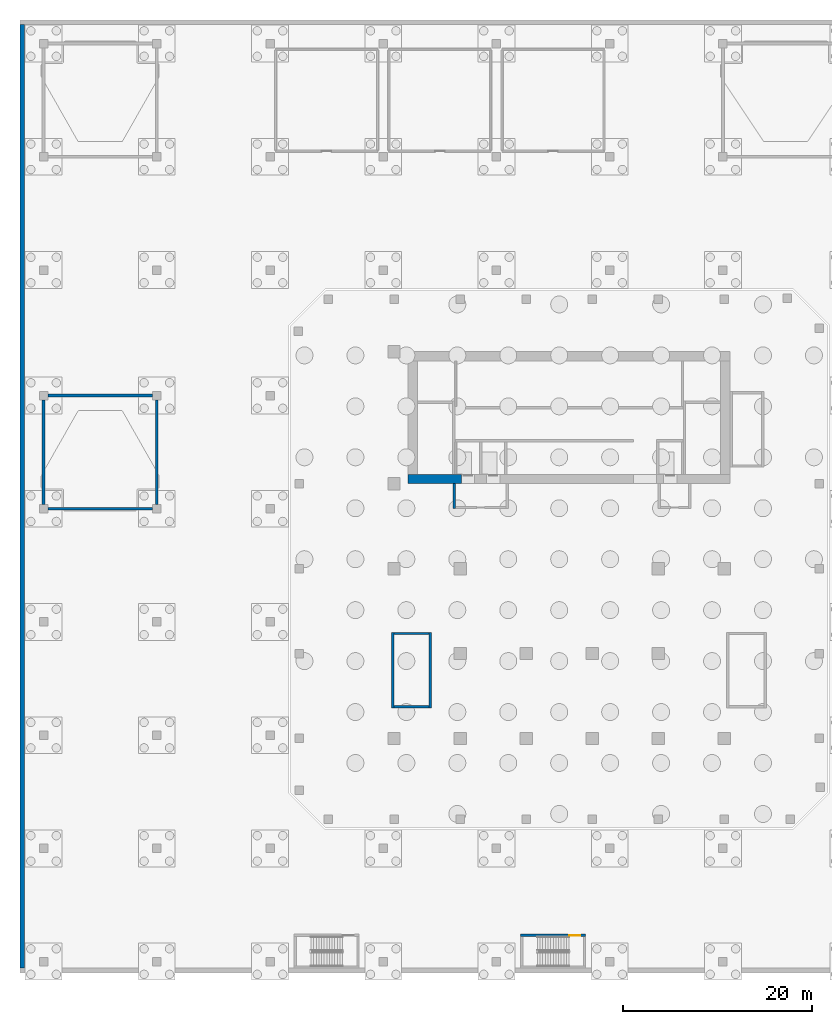
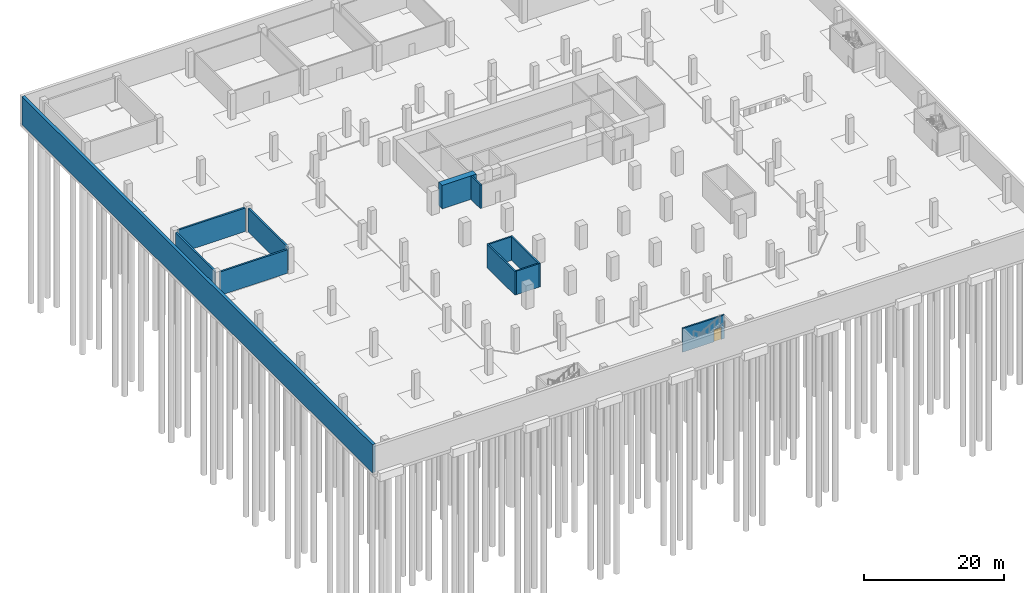
# One storey, part 7 of 15: 12 walls, 1 door, 1 opening.
"""IFC4 building model written with IfcOpenShell, lengths in metres."""

from ifc_helpers import new_model, si_unit, direction, frame, frame_2d, origin, place, context, subcontext, project, spatial, rectangle, extrude, source, transform, mapped, material, layer, layer_set, type_object, element, fill, save


model = new_model("IFC4")

# Units and contexts
model_context = context("Model", 3, precision=1e-05, world=origin(), true_north=direction((0.0, 1.0)))
body_context = subcontext(model_context, "Body", "Model", "MODEL_VIEW")
ifc_project = project(units=[si_unit("LENGTHUNIT", "METRE"), si_unit("AREAUNIT", "SQUARE_METRE"), si_unit("VOLUMEUNIT", "CUBIC_METRE"), si_unit("PLANEANGLEUNIT", "RADIAN"), si_unit("MASSUNIT", "GRAM", prefix="KILO")], contexts=[model_context])

# Site, building, storey
site_placement = place(None, origin())
site = spatial("IfcSite", under=ifc_project, at=site_placement, CompositionType="ELEMENT")
building_placement = place(site_placement, origin())
building = spatial("IfcBuilding", under=site, at=building_placement, Name="Kilnfold Tower and Market Hall", CompositionType="ELEMENT")
storey_placement = place(building_placement, frame((0.0, 0.0, -9.0)))
storey = spatial("IfcBuildingStorey", under=building, at=storey_placement, Name="B2", CompositionType="ELEMENT", Elevation=-9.0)

# Walls
ifc_material_1 = material(Name="Concrete C80", Category="concrete")
ifc_layer_1 = layer(ifc_material_1, 1.0)
ifc_layer_set_1 = layer_set([ifc_layer_1], Name="Concrete C80")
wall_type_1 = type_object("IfcWallType", Name="CORE WALL 1000 C80", PredefinedType="SHEAR", material=ifc_layer_set_1)
shared_shape_1 = source(origin(), body_context, "Body", "SweptSolid", [
    extrude(rectangle(XDim=5.6298828125, YDim=1.0, at=frame_2d((2.81494140625, 0.0))), origin(), (0.0, 0.0, 1.0), 4.10009765625),
])
wall_1_placement = place(storey_placement, frame((-16.0, 8.5, 0.0), z_axis=(0.0, 0.0, 1.0), x_axis=(1.0, 0.0, 0.0)))
element("IfcWall", 1, at=wall_1_placement, inside=storey, type_object=wall_type_1, Name="Core outer wall south", PredefinedType="SHEAR", context=body_context, shape_type="MappedRepresentation", body=[
    mapped(shared_shape_1, transform((0.0, 0.0, 0.0))),
])
ifc_material_2 = material(Name="Concrete C80", Category="concrete")
ifc_layer_2 = layer(ifc_material_2, 0.25)
ifc_layer_set_2 = layer_set([ifc_layer_2], Name="Concrete C80")
wall_type_2 = type_object("IfcWallType", Name="CORE WALL 250 C80", PredefinedType="SHEAR", material=ifc_layer_set_2)
shared_shape_2 = source(origin(), body_context, "Body", "SweptSolid", [
    extrude(rectangle(XDim=3.699951171875, YDim=0.25, at=frame_2d((1.85009765625, 0.0))), origin(), (0.0, 0.0, 1.0), 4.10009765625),
])
for number, where, z_axis, x_axis, name in (
    (2, (-17.5, -15.625, 0.0), (0.0, 0.0, 1.0), (1.0, 0.0, 0.0), "Stair enclosure ST3"),
    (3, (-17.5, -7.875, 0.0), (0.0, 0.0, 1.0), (1.0, 0.0, 0.0), "Stair enclosure ST3"),
):
    element("IfcWall", number, at=place(storey_placement, frame(where, z_axis=z_axis, x_axis=x_axis)), inside=storey, type_object=wall_type_2, Name=name, PredefinedType="SHEAR", context=body_context, shape_type="MappedRepresentation", body=[
        mapped(shared_shape_2, transform((0.0, 0.0, 0.0))),
    ])
shared_shape_3 = source(origin(), body_context, "Body", "SweptSolid", [
    extrude(rectangle(XDim=8.0, YDim=0.25, at=frame_2d((4.0, 0.0))), origin(), (0.0, 0.0, 1.0), 4.10009765625),
])
for number, where, z_axis, x_axis, name in (
    (4, (-17.625, -15.75, 0.0), (0.0, 0.0, 1.0), (0.0, 1.0, 0.0), "Stair enclosure ST3"),
    (5, (-13.675048828125, -15.75, 0.0), (0.0, 0.0, 1.0), (0.0, 1.0, 0.0), "Stair enclosure ST3"),
):
    element("IfcWall", number, at=place(storey_placement, frame(where, z_axis=z_axis, x_axis=x_axis)), inside=storey, type_object=wall_type_2, Name=name, PredefinedType="SHEAR", context=body_context, shape_type="MappedRepresentation", body=[
        mapped(shared_shape_3, transform((0.0, 0.0, 0.0))),
    ])
ifc_material_3 = material(Name="Concrete C50/60", Category="concrete")
ifc_layer_3 = layer(ifc_material_3, 0.300048828125)
ifc_layer_set_3 = layer_set([ifc_layer_3], Name="Concrete C50/60")
wall_type_3 = type_object("IfcWallType", Name="HALL CORE WALL 300", PredefinedType="SHEAR", material=ifc_layer_set_3)
shared_shape_4 = source(origin(), body_context, "Body", "SweptSolid", [
    extrude(rectangle(XDim=11.099853515625, YDim=0.300048828125, at=frame_2d((5.5498046875, 0.0))), origin(), (0.0, 0.0, 1.0), 4.10009765625),
])
for number, where, z_axis, x_axis, name in (
    (6, (-54.199951171875, 5.35009765625, 0.0), (0.0, 0.0, 1.0), (1.0, 0.0, 0.0), "Core wall MH1"),
    (7, (-54.199951171875, 17.35009765625, 0.0), (0.0, 0.0, 1.0), (1.0, 0.0, 0.0), "Core wall MH1"),
    (8, (-54.64990234375, 5.800048828125, 0.0), (0.0, 0.0, 1.0), (0.0, 1.0, 0.0), "Core wall MH1"),
    (9, (-42.64990234375, 5.800048828125, 0.0), (0.0, 0.0, 1.0), (0.0, 1.0, 0.0), "Core wall MH1"),
):
    element("IfcWall", number, at=place(storey_placement, frame(where, z_axis=z_axis, x_axis=x_axis)), inside=storey, type_object=wall_type_3, Name=name, PredefinedType="SHEAR", context=body_context, shape_type="MappedRepresentation", body=[
        mapped(shared_shape_4, transform((0.0, 0.0, 0.0))),
    ])
ifc_material_4 = material(Name="Concrete C40/50", Category="concrete")
ifc_layer_4 = layer(ifc_material_4, 0.5)
ifc_layer_set_4 = layer_set([ifc_layer_4], Name="Concrete C40/50")
wall_type_4 = type_object("IfcWallType", Name="BASEMENT RETAINING WALL 500", PredefinedType="SOLIDWALL", material=ifc_layer_set_4)
shared_shape_5 = source(origin(), body_context, "Body", "SweptSolid", [
    extrude(rectangle(XDim=100.0, YDim=0.5, at=frame_2d((50.0, 0.0))), origin(), (0.0, 0.0, 1.0), 4.89990234375),
])
wall_2_placement = place(storey_placement, frame((-56.89990234375, -43.35009765625, -0.39990234375), z_axis=(0.0, 0.0, 1.0), x_axis=(0.0, 1.0, 0.0)))
element("IfcWall", 10, at=wall_2_placement, inside=storey, type_object=wall_type_4, Name="Retaining wall B2 west", PredefinedType="SOLIDWALL", context=body_context, shape_type="MappedRepresentation", body=[
    mapped(shared_shape_5, transform((0.0, 0.0, 0.0))),
])
ifc_material_5 = material(Name="Gypsum shaft wall system")
ifc_layer_5 = layer(ifc_material_5, 0.25)
ifc_layer_set_5 = layer_set([ifc_layer_5], Name="Gypsum shaft wall system")
wall_type_5 = type_object("IfcWallType", Name="LOBBY WALL 250", PredefinedType="PARTITIONING", material=ifc_layer_set_5)
shared_shape_6 = source(origin(), body_context, "Body", "SweptSolid", [
    extrude(rectangle(XDim=2.64990234375, YDim=0.25, at=frame_2d((1.324951171875, 0.0))), origin(), (0.0, 0.0, 1.0), 4.10009765625),
])
wall_3_placement = place(storey_placement, frame((-11.135009765625, 5.35009765625, 0.0), z_axis=(0.0, 0.0, 1.0), x_axis=(0.0, 1.0, 0.0)))
element("IfcWall", 11, at=wall_3_placement, inside=storey, type_object=wall_type_5, Name="Firefighting lobby wall", PredefinedType="PARTITIONING", context=body_context, shape_type="MappedRepresentation", body=[
    mapped(shared_shape_6, transform((0.0, 0.0, 0.0))),
])

# Wall, opening, door
ifc_material_6 = material(Name="Concrete C50/60", Category="concrete")
ifc_layer_6 = layer(ifc_material_6, 0.25)
ifc_layer_set_6 = layer_set([ifc_layer_6], Name="Concrete C50/60")
wall_type_6 = type_object("IfcWallType", Name="CAR PARK STAIR WALL 250", PredefinedType="SHEAR", material=ifc_layer_set_6)
shared_shape_7 = source(origin(), body_context, "Body", "SweptSolid", [
    extrude(rectangle(XDim=6.900146484375, YDim=0.25, at=frame_2d((3.4501953125, 0.0))), origin(), (0.0, 0.0, 1.0), 4.10009765625),
])
wall_4_placement = place(storey_placement, frame((-4.10009765625, -39.875, 0.0), z_axis=(0.0, 0.0, 1.0), x_axis=(1.0, 0.0, 0.0)))
wall_4 = element("IfcWall", 12, at=wall_4_placement, inside=storey, type_object=wall_type_6, Name="Stair CS2 wall north", PredefinedType="SHEAR", context=body_context, shape_type="MappedRepresentation", body=[
    mapped(shared_shape_7, transform((0.0, 0.0, 0.0))),
])
opening_placement = place(wall_4_placement, frame((5.14990234375, 0.0, 0.0)))
opening = element("IfcOpeningElement", 13, at=opening_placement, cuts=wall_4, Name="Opening FD2", PredefinedType="OPENING", context=body_context, shape_type="SweptSolid", body=[
    extrude(rectangle(XDim=1.199951171875, YDim=2.10009765625, at=frame_2d((0.60009765625, 1.050048828125))), frame((0.0, 0.135009765625, 0.0), z_axis=(0.0, -1.0, 0.0), x_axis=(1.0, 0.0, 0.0)), (0.0, 0.0, 1.0), 0.27001953125),
])
ifc_material_7 = material(Name="Steel S355", Category="steel")
door_type = type_object("IfcDoorType", Name="CAR PARK STAIR DOOR 1200X2100", OperationType="NOTDEFINED", PredefinedType="DOOR", material=ifc_material_7)
door_placement = place(opening_placement, origin())
door = element("IfcDoor", 14, at=door_placement, inside=storey, type_object=door_type, Name="Stair CS2 door", OperationType="SINGLE_SWING_RIGHT", OverallHeight=2.10009765625, OverallWidth=1.199951171875, PredefinedType="DOOR", context=body_context, shape_type="SweptSolid", body=[
    extrude(rectangle(XDim=1.199951171875, YDim=2.10009765625, at=frame_2d((0.60009765625, 1.050048828125))), frame((0.0, 0.02490234375, 0.0), z_axis=(0.0, -1.0, 0.0), x_axis=(1.0, 0.0, 0.0)), (0.0, 0.0, 1.0), 0.050048828125),
])
fill(opening, door)

save(model, "model.ifc")
